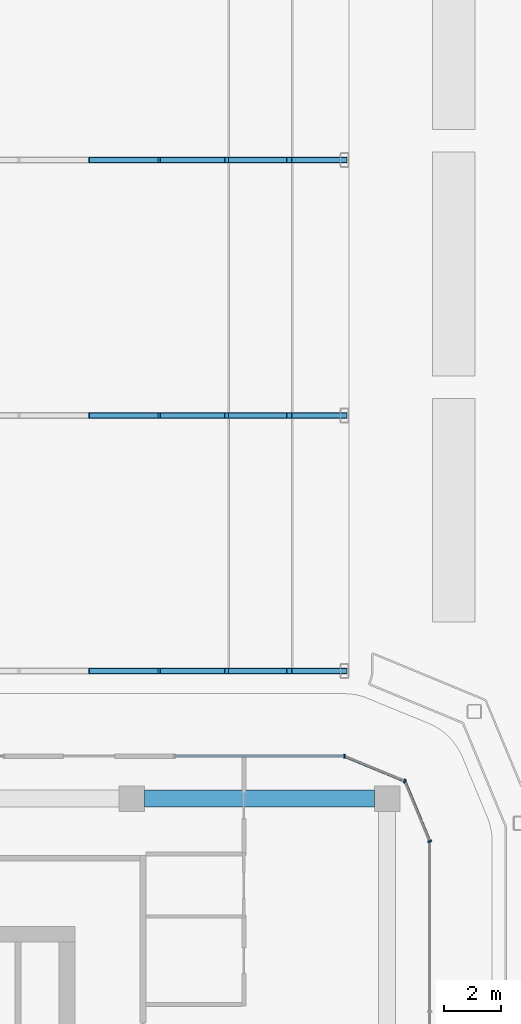
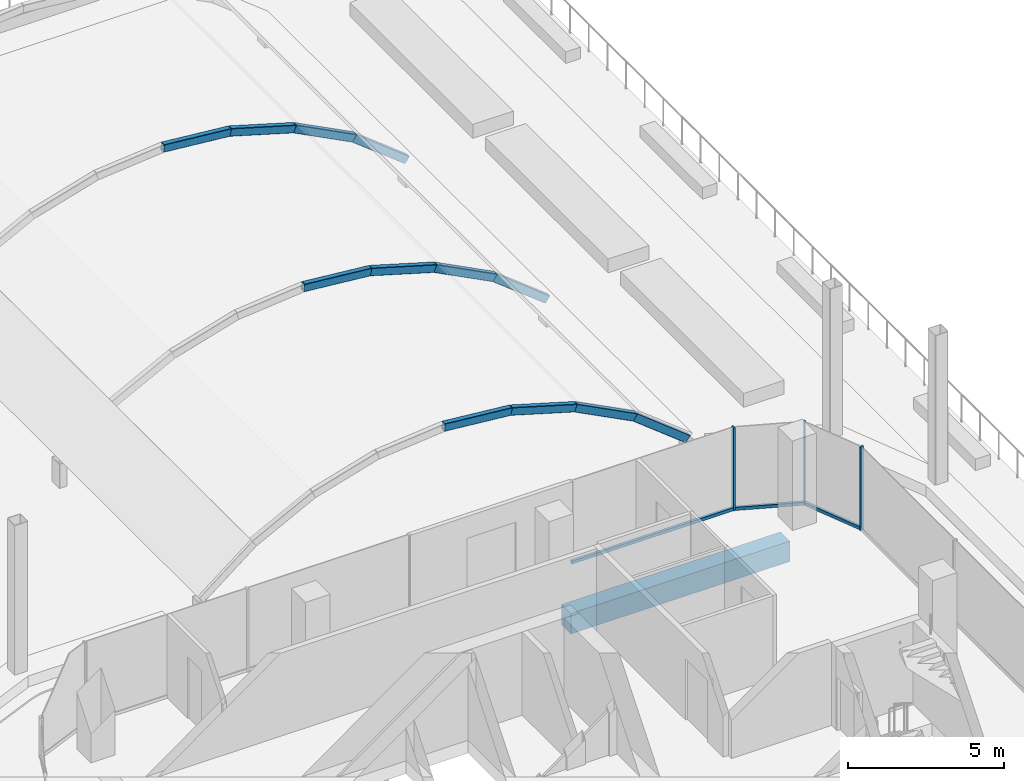
# One storey, part 17 of 33: 18 members, 1 beam, 3 elements without a shape of their own.
"""IFC4 building model written with IfcOpenShell, lengths in metres."""

from ifc_helpers import new_model, si_unit, direction, frame, origin, origin_2d, place, context, subcontext, project, spatial, rectangle, hollow_rectangle, extrude, material, layer, layer_set, material_profile, profile_set, type_object, element, aggregate, save


model = new_model("IFC4")

# Units and contexts
model_context = context("Model", 3, precision=1e-05, world=origin(), true_north=direction((0.0, 1.0)))
body_context = subcontext(model_context, "Body", "Model", "MODEL_VIEW")
ifc_project = project(units=[si_unit("LENGTHUNIT", "METRE"), si_unit("AREAUNIT", "SQUARE_METRE"), si_unit("VOLUMEUNIT", "CUBIC_METRE"), si_unit("PLANEANGLEUNIT", "RADIAN"), si_unit("MASSUNIT", "GRAM", prefix="KILO")], contexts=[model_context])

# Site, building, storey
site_placement = place(None, origin())
site = spatial("IfcSite", under=ifc_project, at=site_placement, CompositionType="ELEMENT")
building_placement = place(site_placement, origin())
building = spatial("IfcBuilding", under=site, at=building_placement, Name="Plateau Cross Towers", CompositionType="ELEMENT")
storey_placement = place(building_placement, frame((0.0, 0.0, 26.800048828125)))
storey = spatial("IfcBuildingStorey", under=building, at=storey_placement, Name="L05", CompositionType="ELEMENT", Elevation=26.800048828125)

# Curtain wall, member
ifc_material_1 = material(Name="Dark low-iron glass", Category="glass")
ifc_layer = layer(ifc_material_1, 0.239990234375)
ifc_layer_set = layer_set([ifc_layer], Name="Dark low-iron glass")
curtain_wall_type = type_object("IfcCurtainWallType", Name="Curtain wall office unitised CW-F", PredefinedType="NOTDEFINED", material=ifc_layer_set)
curtain_wall_1_placement = place(storey_placement, origin())
curtain_wall_1 = element("IfcCurtainWall", 1, at=curtain_wall_1_placement, inside=storey, type_object=curtain_wall_type, Name="ENV/B/L05/B1020_210", PredefinedType="NOTDEFINED")
ifc_material_2 = material(Name="Black anodised aluminium", Category="aluminium")
ifc_material_profile_1 = material_profile(ifc_material_2, rectangle(XDim=0.06005859375, YDim=0.139892578125, at=origin_2d()), Name="MULLION 60x140")
ifc_profile_set_1 = profile_set([ifc_material_profile_1], Name="Black anodised aluminium")
member_type_1 = type_object("IfcMemberType", Name="Mullion 60x140 office unitised", PredefinedType="MULLION", material=ifc_profile_set_1)
member_1_placement = place(storey_placement, frame((102.0, 21.0, 0.0), z_axis=(0.0, 0.0, 1.0), x_axis=(-0.382683612978, 0.923879457699, 0.0)))
member_1 = element("IfcMember", 2, at=member_1_placement, type_object=member_type_1, Name="CW-F mullion 1", PredefinedType="MULLION", context=body_context, shape_type="SweptSolid", body=[
    extrude(rectangle(XDim=0.06005859375, YDim=0.139892578125, at=origin_2d()), origin(), (0.0, 0.0, 1.0), 3.25),
])

curtain_wall_2_placement = place(storey_placement, origin())
curtain_wall_2 = element("IfcCurtainWall", 3, at=curtain_wall_2_placement, inside=storey, type_object=curtain_wall_type, Name="ENV/B/L05/B1011_231", PredefinedType="NOTDEFINED")
member_2_placement = place(storey_placement, frame((101.121337890625, 23.121337890625, 0.0), z_axis=(0.0, 0.0, 1.0), x_axis=(-0.923879457699, 0.382683612978, 0.0)))
member_2 = element("IfcMember", 4, at=member_2_placement, type_object=member_type_1, Name="CW-F mullion 1", PredefinedType="MULLION", context=body_context, shape_type="SweptSolid", body=[
    extrude(rectangle(XDim=0.06005859375, YDim=0.139892578125, at=origin_2d()), origin(), (0.0, 0.0, 1.0), 3.25),
])

curtain_wall_3_placement = place(storey_placement, origin())
curtain_wall_3 = element("IfcCurtainWall", 5, at=curtain_wall_3_placement, inside=storey, type_object=curtain_wall_type, Name="ENV/B/L05/B990_240", PredefinedType="NOTDEFINED")
member_3_placement = place(storey_placement, frame((99.0, 24.0, 0.0), z_axis=(0.0, 0.0, 1.0), x_axis=(-1.0, 0.0, 0.0)))
member_3 = element("IfcMember", 6, at=member_3_placement, type_object=member_type_1, Name="CW-F mullion 1", PredefinedType="MULLION", context=body_context, shape_type="SweptSolid", body=[
    extrude(rectangle(XDim=0.06005859375, YDim=0.139892578125, at=origin_2d()), origin(), (0.0, 0.0, 1.0), 3.25),
])

# Beam
ifc_material_3 = material(Name="Concrete C60/75", Category="concrete")
ifc_material_profile_2 = material_profile(ifc_material_3, rectangle(XDim=0.60009765625, YDim=0.800048828125, at=origin_2d()), Name="RC 600x800")
ifc_profile_set_2 = profile_set([ifc_material_profile_2], Name="Concrete C60/75")
beam_type = type_object("IfcBeamType", Name="Ring beam RC 600x800", PredefinedType="BEAM", material=ifc_profile_set_2)
beam_placement = place(storey_placement, frame((100.050048828125, 22.5, -0.900146484375), z_axis=(-1.0, 0.0, 0.0), x_axis=(0.0, -1.0, 0.0)))
element("IfcBeam", 7, at=beam_placement, inside=storey, type_object=beam_type, Name="B-RB06@L05", PredefinedType="BEAM", context=body_context, shape_type="SweptSolid", body=[
    extrude(rectangle(XDim=0.60009765625, YDim=0.800048828125, at=origin_2d()), origin(), (0.0, 0.0, 1.0), 8.10009765625),
])

# Member
ifc_material_profile_3 = material_profile(ifc_material_2, rectangle(XDim=0.10009765625, YDim=0.1201171875, at=origin_2d()), Name="TRANSOM 100x120")
ifc_profile_set_3 = profile_set([ifc_material_profile_3], Name="Black anodised aluminium")
member_type_2 = type_object("IfcMemberType", Name="Transom 100x120 office unitised", PredefinedType="USERDEFINED", material=ifc_profile_set_3)
member_4_placement = place(storey_placement, frame((102.0, 21.0, 0.06005859375), z_axis=(-0.382674207535, 0.923883353507, 0.0), x_axis=(-0.923883353507, -0.382674207535, 0.0)))
member_4 = element("IfcMember", 8, at=member_4_placement, type_object=member_type_2, Name="CW-F transom", ObjectType="TRANSOM", PredefinedType="USERDEFINED", context=body_context, shape_type="SweptSolid", body=[
    extrude(rectangle(XDim=0.10009765625, YDim=0.1201171875, at=origin_2d()), origin(), (0.0, 0.0, 1.0), 2.296142578125),
])

aggregate(curtain_wall_1, [member_1, member_4])

member_5_placement = place(storey_placement, frame((101.121337890625, 23.121337890625, 0.06005859375), z_axis=(-0.923883353507, 0.382674207535, 0.0), x_axis=(-0.382674207535, -0.923883353507, 0.0)))
member_5 = element("IfcMember", 9, at=member_5_placement, type_object=member_type_2, Name="CW-F transom", ObjectType="TRANSOM", PredefinedType="USERDEFINED", context=body_context, shape_type="SweptSolid", body=[
    extrude(rectangle(XDim=0.10009765625, YDim=0.1201171875, at=origin_2d()), origin(), (0.0, 0.0, 1.0), 2.296142578125),
])

aggregate(curtain_wall_2, [member_2, member_5])

member_6_placement = place(storey_placement, frame((99.0, 24.0, 0.06005859375), z_axis=(-1.0, 0.0, 0.0), x_axis=(0.0, -1.0, 0.0)))
member_6 = element("IfcMember", 10, at=member_6_placement, type_object=member_type_2, Name="CW-F transom", ObjectType="TRANSOM", PredefinedType="USERDEFINED", context=body_context, shape_type="SweptSolid", body=[
    extrude(rectangle(XDim=0.10009765625, YDim=0.1201171875, at=origin_2d()), origin(), (0.0, 0.0, 1.0), 6.0),
])

aggregate(curtain_wall_3, [member_3, member_6])

# Members
ifc_material_4 = material(Name="Steel S355", Category="steel")
ifc_material_profile_4 = material_profile(ifc_material_4, hollow_rectangle(XDim=0.199951171875, YDim=0.300048828125, WallThickness=0.012451171875, InnerFilletRadius=0.012451171875, OuterFilletRadius=0.02490234375, at=origin_2d()), Name="RHS 300x200x12.5")
ifc_profile_set_4 = profile_set([ifc_material_profile_4], Name="Steel S355")
member_type_3 = type_object("IfcMemberType", Name="Vault rafter RHS 300x200x12.5", PredefinedType="RAFTER", material=ifc_profile_set_4)
member_7_placement = place(storey_placement, frame((90.0, 27.0, 4.599853515625), z_axis=(0.995483070512, 0.0, -0.094939224374), x_axis=(0.0, 1.0, 0.0)))
element("IfcMember", 11, at=member_7_placement, inside=storey, type_object=member_type_3, Name="Pavilion rafter 1-5", PredefinedType="RAFTER", context=body_context, shape_type="SweptSolid", body=[
    extrude(hollow_rectangle(XDim=0.199951171875, YDim=0.300048828125, WallThickness=0.012451171875, InnerFilletRadius=0.012451171875, OuterFilletRadius=0.02490234375, at=origin_2d()), origin(), (0.0, 0.0, 1.0), 2.47900390625),
])
member_8_placement = place(storey_placement, frame((92.4677734375, 27.0, 4.364501953125), z_axis=(0.959548764946, 0.0, -0.28154247937), x_axis=(0.0, 1.0, 0.0)))
element("IfcMember", 12, at=member_8_placement, inside=storey, type_object=member_type_3, Name="Pavilion rafter 1-6", PredefinedType="RAFTER", context=body_context, shape_type="SweptSolid", body=[
    extrude(hollow_rectangle(XDim=0.199951171875, YDim=0.300048828125, WallThickness=0.012451171875, InnerFilletRadius=0.012451171875, OuterFilletRadius=0.02490234375, at=origin_2d()), origin(), (0.0, 0.0, 1.0), 2.479248046875),
])
for number, where, z_axis, x_axis, name in (
    (13, (94.8466796875, 27.0, 3.66650390625), (0.889025580231, 0.0, -0.45785752991), (0.0, 1.0, 0.0), "Pavilion rafter 1-7"),
    (14, (97.050537109375, 27.0, 2.531494140625), (0.786362761519, 0.0, -0.61776500977), (0.0, 1.0, 0.0), "Pavilion rafter 1-8"),
    (15, (90.0, 36.0, 4.599853515625), (0.995483070512, 0.0, -0.094939224374), (0.0, 1.0, 0.0), "Pavilion rafter 2-5"),
):
    element("IfcMember", number, at=place(storey_placement, frame(where, z_axis=z_axis, x_axis=x_axis)), inside=storey, type_object=member_type_3, Name=name, PredefinedType="RAFTER", context=body_context, shape_type="SweptSolid", body=[
        extrude(hollow_rectangle(XDim=0.199951171875, YDim=0.300048828125, WallThickness=0.012451171875, InnerFilletRadius=0.012451171875, OuterFilletRadius=0.02490234375, at=origin_2d()), origin(), (0.0, 0.0, 1.0), 2.47900390625),
    ])
member_9_placement = place(storey_placement, frame((92.4677734375, 36.0, 4.364501953125), z_axis=(0.959548764946, 0.0, -0.28154247937), x_axis=(0.0, 1.0, 0.0)))
element("IfcMember", 16, at=member_9_placement, inside=storey, type_object=member_type_3, Name="Pavilion rafter 2-6", PredefinedType="RAFTER", context=body_context, shape_type="SweptSolid", body=[
    extrude(hollow_rectangle(XDim=0.199951171875, YDim=0.300048828125, WallThickness=0.012451171875, InnerFilletRadius=0.012451171875, OuterFilletRadius=0.02490234375, at=origin_2d()), origin(), (0.0, 0.0, 1.0), 2.479248046875),
])
for number, where, z_axis, x_axis, name in (
    (17, (94.8466796875, 36.0, 3.66650390625), (0.889025580231, 0.0, -0.45785752991), (0.0, 1.0, 0.0), "Pavilion rafter 2-7"),
    (18, (97.050537109375, 36.0, 2.531494140625), (0.786362761519, 0.0, -0.61776500977), (0.0, 1.0, 0.0), "Pavilion rafter 2-8"),
    (19, (90.0, 45.0, 4.599853515625), (0.995483070512, 0.0, -0.094939224374), (0.0, 1.0, 0.0), "Pavilion rafter 3-5"),
):
    element("IfcMember", number, at=place(storey_placement, frame(where, z_axis=z_axis, x_axis=x_axis)), inside=storey, type_object=member_type_3, Name=name, PredefinedType="RAFTER", context=body_context, shape_type="SweptSolid", body=[
        extrude(hollow_rectangle(XDim=0.199951171875, YDim=0.300048828125, WallThickness=0.012451171875, InnerFilletRadius=0.012451171875, OuterFilletRadius=0.02490234375, at=origin_2d()), origin(), (0.0, 0.0, 1.0), 2.47900390625),
    ])
member_10_placement = place(storey_placement, frame((92.4677734375, 45.0, 4.364501953125), z_axis=(0.959548764946, 0.0, -0.28154247937), x_axis=(0.0, 1.0, 0.0)))
element("IfcMember", 20, at=member_10_placement, inside=storey, type_object=member_type_3, Name="Pavilion rafter 3-6", PredefinedType="RAFTER", context=body_context, shape_type="SweptSolid", body=[
    extrude(hollow_rectangle(XDim=0.199951171875, YDim=0.300048828125, WallThickness=0.012451171875, InnerFilletRadius=0.012451171875, OuterFilletRadius=0.02490234375, at=origin_2d()), origin(), (0.0, 0.0, 1.0), 2.479248046875),
])
for number, where, z_axis, x_axis, name in (
    (21, (94.8466796875, 45.0, 3.66650390625), (0.889025580231, 0.0, -0.45785752991), (0.0, 1.0, 0.0), "Pavilion rafter 3-7"),
    (22, (97.050537109375, 45.0, 2.531494140625), (0.786362761519, 0.0, -0.61776500977), (0.0, 1.0, 0.0), "Pavilion rafter 3-8"),
):
    element("IfcMember", number, at=place(storey_placement, frame(where, z_axis=z_axis, x_axis=x_axis)), inside=storey, type_object=member_type_3, Name=name, PredefinedType="RAFTER", context=body_context, shape_type="SweptSolid", body=[
        extrude(hollow_rectangle(XDim=0.199951171875, YDim=0.300048828125, WallThickness=0.012451171875, InnerFilletRadius=0.012451171875, OuterFilletRadius=0.02490234375, at=origin_2d()), origin(), (0.0, 0.0, 1.0), 2.47900390625),
    ])

save(model, "model.ifc")
